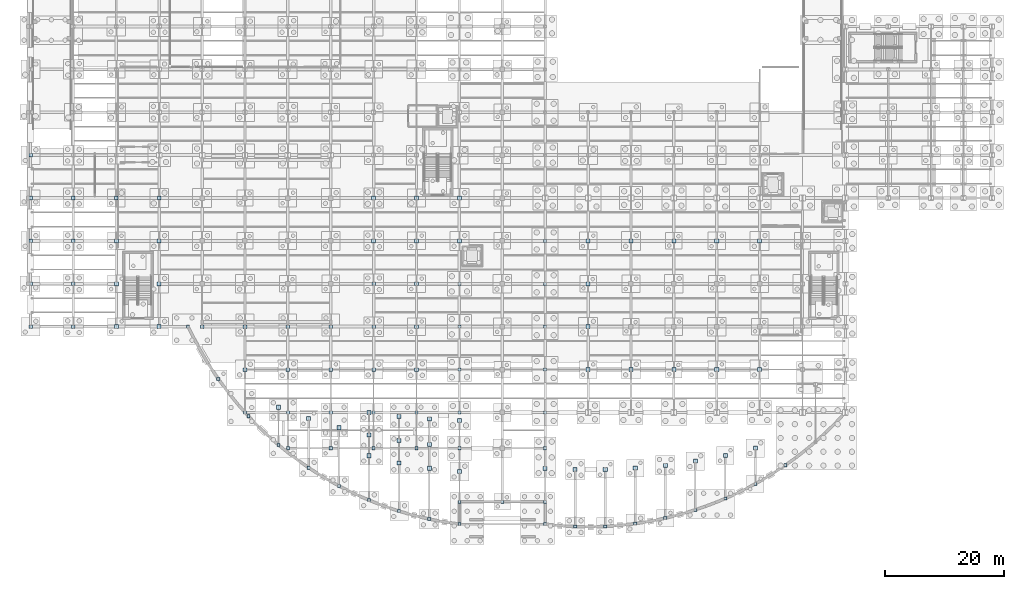
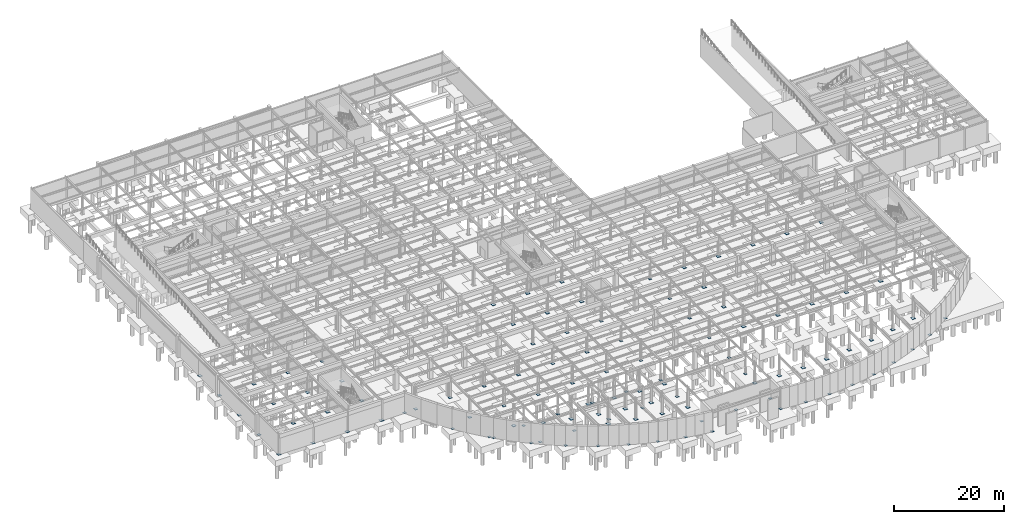
# One storey, part 42 of 64: 112 plates.
"""IFC4 building model written with IfcOpenShell, lengths in metres."""

from ifc_helpers import new_model, si_unit, direction, frame, origin, origin_2d, place, context, subcontext, project, spatial, rectangle, extrude, material, layer, layer_set, type_object, element, save


model = new_model("IFC4")

# Units and contexts
model_context = context("Model", 3, precision=1e-05, world=origin(), true_north=direction((0.0, 1.0)))
body_context = subcontext(model_context, "Body", "Model", "MODEL_VIEW")
ifc_project = project(units=[si_unit("LENGTHUNIT", "METRE"), si_unit("AREAUNIT", "SQUARE_METRE"), si_unit("VOLUMEUNIT", "CUBIC_METRE"), si_unit("PLANEANGLEUNIT", "RADIAN"), si_unit("MASSUNIT", "GRAM", prefix="KILO")], contexts=[model_context])

# Site, building, storey
site_placement = place(None, origin())
site = spatial("IfcSite", under=ifc_project, at=site_placement, CompositionType="ELEMENT")
building_placement = place(site_placement, origin())
building = spatial("IfcBuilding", under=site, at=building_placement, Name="Solvadek Multi-Sports Hall", CompositionType="ELEMENT")
storey_placement = place(building_placement, frame((0.0, 0.0, -4.800048828125)))
storey = spatial("IfcBuildingStorey", under=building, at=storey_placement, Name="B1", CompositionType="ELEMENT", Elevation=-4.800048828125)

# Plates
ifc_material = material(Name="Steel E350 (350 MPa)", Category="steel")
ifc_layer_1 = layer(ifc_material, 0.02197265625, Name="Steel E350 (350 MPa)")
ifc_layer_set_1 = layer_set([ifc_layer_1], Name="Steel E350 (350 MPa)")
plate_type_1 = type_object("IfcPlateType", Name="STR-PLT-BAS520", PredefinedType="USERDEFINED", material=ifc_layer_set_1)
for number, where, z_axis, x_axis, name in (
    (1, (36.0, 6.0, 0.0), (0.0, 0.0, 1.0), (1.0, 0.0, 0.0), "Column Base Plate #63"),
    (2, (43.199951171875, 0.0, 0.0), (0.0, 0.0, 1.0), (1.0, 0.0, 0.0), "Column Base Plate #75"),
    (3, (43.199951171875, 6.0, 0.0), (0.0, 0.0, 1.0), (1.0, 0.0, 0.0), "Column Base Plate #76"),
    (4, (50.39990234375, 0.0, 0.0), (0.0, 0.0, 1.0), (1.0, 0.0, 0.0), "Column Base Plate #88"),
    (5, (50.39990234375, 6.0, 0.0), (0.0, 0.0, 1.0), (1.0, 0.0, 0.0), "Column Base Plate #89"),
    (6, (57.60009765625, 0.0, 0.0), (0.0, 0.0, 1.0), (1.0, 0.0, 0.0), "Column Base Plate #101"),
    (7, (57.60009765625, 6.0, 0.0), (0.0, 0.0, 1.0), (1.0, 0.0, 0.0), "Column Base Plate #102"),
    (8, (64.800048828125, 0.0, 0.0), (0.0, 0.0, 1.0), (1.0, 0.0, 0.0), "Column Base Plate #117"),
    (9, (64.800048828125, 6.0, 0.0), (0.0, 0.0, 1.0), (1.0, 0.0, 0.0), "Column Base Plate #118"),
    (10, (72.0, 0.0, 0.0), (0.0, 0.0, 1.0), (1.0, 0.0, 0.0), "Column Base Plate #132"),
    (11, (72.0, 6.0, 0.0), (0.0, 0.0, 1.0), (1.0, 0.0, 0.0), "Column Base Plate #134"),
    (12, (72.0, 13.199951171875, 0.0), (0.0, 0.0, 1.0), (1.0, 0.0, 0.0), "Column Base Plate #136"),
    (13, (72.0, 20.39990234375, 0.0), (0.0, 0.0, 1.0), (1.0, 0.0, 0.0), "Column Base Plate #138"),
    (14, (72.0, 27.60009765625, 0.0), (0.0, 0.0, 1.0), (1.0, 0.0, 0.0), "Column Base Plate #140"),
    (15, (86.39990234375, 0.0, 0.0), (0.0, 0.0, 1.0), (1.0, 0.0, 0.0), "Column Base Plate #160"),
    (16, (86.39990234375, 6.0, 0.0), (0.0, 0.0, 1.0), (1.0, 0.0, 0.0), "Column Base Plate #162"),
    (17, (86.39990234375, 13.199951171875, 0.0), (0.0, 0.0, 1.0), (1.0, 0.0, 0.0), "Column Base Plate #164"),
    (18, (86.39990234375, 20.39990234375, 0.0), (0.0, 0.0, 1.0), (1.0, 0.0, 0.0), "Column Base Plate #166"),
    (19, (86.39990234375, 27.60009765625, 0.0), (0.0, 0.0, 1.0), (1.0, 0.0, 0.0), "Column Base Plate #168"),
    (20, (86.39990234375, 34.800048828125, 0.0), (0.0, 0.0, 1.0), (1.0, 0.0, 0.0), "Column Base Plate #170"),
    (21, (26.45458984375, 20.39990234375, 0.0), (0.0, 0.0, 1.0), (1.0, 0.0, 0.0), "Column Base Plate #256"),
    (22, (31.51513671875, 11.63232421875, 0.0), (0.0, 0.0, 1.0), (1.0, 0.0, 0.0), "Column Base Plate #258"),
    (23, (36.57568359375, 5.37158203125, 0.0), (0.0, 0.0, 1.0), (1.0, 0.0, 0.0), "Column Base Plate #260"),
    (24, (41.636474609375, 0.54541015625, 0.0), (0.0, 0.0, 1.0), (1.0, 0.0, 0.0), "Column Base Plate #262"),
    (25, (46.697021484375, -3.2783203125, 0.0), (0.0, 0.0, 1.0), (1.0, 0.0, 0.0), "Column Base Plate #265"),
    (26, (51.757568359375, -6.323974609375, 0.0), (0.0, 0.0, 1.0), (1.0, 0.0, 0.0), "Column Base Plate #268"),
    (27, (56.818115234375, -8.72412109375, 0.0), (0.0, 0.0, 1.0), (1.0, 0.0, 0.0), "Column Base Plate #271"),
    (28, (61.87890625, -10.562744140625, 0.0), (0.0, 0.0, 1.0), (1.0, 0.0, 0.0), "Column Base Plate #276"),
    (29, (66.939453125, -11.893798828125, 0.0), (0.0, 0.0, 1.0), (1.0, 0.0, 0.0), "Column Base Plate #281"),
    (30, (72.0, -12.7529296875, 0.0), (0.0, 0.0, 1.0), (1.0, 0.0, 0.0), "Column Base Plate #286"),
    (31, (86.39990234375, -12.7529296875, 0.0), (0.0, 0.0, 1.0), (1.0, 0.0, 0.0), "Column Base Plate #290"),
    (32, (91.43994140625, -13.159912109375, 0.0), (0.0, 0.0, 1.0), (1.0, 0.0, 0.0), "Column Base Plate #293"),
    (33, (96.47998046875, -13.128662109375, 0.0), (0.0, 0.0, 1.0), (1.0, 0.0, 0.0), "Column Base Plate #296"),
    (34, (101.52001953125, -12.65869140625, 0.0), (0.0, 0.0, 1.0), (1.0, 0.0, 0.0), "Column Base Plate #299"),
    (35, (106.56005859375, -11.73876953125, 0.0), (0.0, 0.0, 1.0), (1.0, 0.0, 0.0), "Column Base Plate #302"),
    (36, (111.60009765625, -10.346435546875, 0.0), (0.0, 0.0, 1.0), (1.0, 0.0, 0.0), "Column Base Plate #305"),
    (37, (116.639892578125, -8.4453125, 0.0), (0.0, 0.0, 1.0), (1.0, 0.0, 0.0), "Column Base Plate #308"),
    (38, (121.679931640625, -5.97802734375, 0.0), (0.0, 0.0, 1.0), (1.0, 0.0, 0.0), "Column Base Plate #311"),
    (39, (126.719970703125, -2.857177734375, 0.0), (0.0, 0.0, 1.0), (1.0, 0.0, 0.0), "Column Base Plate #314"),
    (40, (72.0, -9.0, 0.0), (0.0, 0.0, 1.0), (1.0, 0.0, 0.0), "Column Base Plate #319"),
    (41, (79.199951171875, -9.0, 0.0), (0.0, 0.0, 1.0), (1.0, 0.0, 0.0), "Column Base Plate #321"),
    (42, (86.39990234375, -9.0, 0.0), (0.0, 0.0, 1.0), (1.0, 0.0, 0.0), "Column Base Plate #323"),
):
    element("IfcPlate", number, at=place(storey_placement, frame(where, z_axis=z_axis, x_axis=x_axis)), inside=storey, type_object=plate_type_1, Name=name, ObjectType="BASE_PLATE", PredefinedType="USERDEFINED", context=body_context, shape_type="SweptSolid", body=[
        extrude(rectangle(XDim=0.52001953125, YDim=0.52001953125, at=origin_2d()), origin(), (0.0, 0.0, 1.0), 0.02197265625),
    ])
ifc_layer_2 = layer(ifc_material, 0.02490234375, Name="Steel E350 (350 MPa)")
ifc_layer_set_2 = layer_set([ifc_layer_2], Name="Steel E350 (350 MPa)")
plate_type_2 = type_object("IfcPlateType", Name="STR-PLT-BAS600", PredefinedType="USERDEFINED", material=ifc_layer_set_2)
for number, where, z_axis, x_axis, name in (
    (43, (0.0, 20.39990234375, 0.0), (0.0, 0.0, 1.0), (1.0, 0.0, 0.0), "Column Base Plate #1"),
    (44, (0.0, 27.60009765625, 0.0), (0.0, 0.0, 1.0), (1.0, 0.0, 0.0), "Column Base Plate #2"),
    (45, (0.0, 34.800048828125, 0.0), (0.0, 0.0, 1.0), (1.0, 0.0, 0.0), "Column Base Plate #3"),
    (46, (0.0, 42.0, 0.0), (0.0, 0.0, 1.0), (1.0, 0.0, 0.0), "Column Base Plate #4"),
    (47, (0.0, 49.199951171875, 0.0), (0.0, 0.0, 1.0), (1.0, 0.0, 0.0), "Column Base Plate #5"),
    (48, (7.199951171875, 20.39990234375, 0.0), (0.0, 0.0, 1.0), (1.0, 0.0, 0.0), "Column Base Plate #14"),
    (49, (7.199951171875, 27.60009765625, 0.0), (0.0, 0.0, 1.0), (1.0, 0.0, 0.0), "Column Base Plate #15"),
    (50, (7.199951171875, 34.800048828125, 0.0), (0.0, 0.0, 1.0), (1.0, 0.0, 0.0), "Column Base Plate #16"),
    (51, (7.199951171875, 42.0, 0.0), (0.0, 0.0, 1.0), (1.0, 0.0, 0.0), "Column Base Plate #17"),
    (52, (14.39990234375, 42.0, 0.0), (0.0, 0.0, 1.0), (1.0, 0.0, 0.0), "Column Base Plate #30"),
    (53, (21.60009765625, 42.0, 0.0), (0.0, 0.0, 1.0), (1.0, 0.0, 0.0), "Column Base Plate #43"),
    (54, (28.800048828125, 20.39990234375, 0.0), (0.0, 0.0, 1.0), (1.0, 0.0, 0.0), "Column Base Plate #53"),
    (55, (36.0, 13.199951171875, 0.0), (0.0, 0.0, 1.0), (1.0, 0.0, 0.0), "Column Base Plate #64"),
    (56, (36.0, 20.39990234375, 0.0), (0.0, 0.0, 1.0), (1.0, 0.0, 0.0), "Column Base Plate #65"),
    (57, (43.199951171875, 13.199951171875, 0.0), (0.0, 0.0, 1.0), (1.0, 0.0, 0.0), "Column Base Plate #77"),
    (58, (43.199951171875, 20.39990234375, 0.0), (0.0, 0.0, 1.0), (1.0, 0.0, 0.0), "Column Base Plate #78"),
    (59, (50.39990234375, 13.199951171875, 0.0), (0.0, 0.0, 1.0), (1.0, 0.0, 0.0), "Column Base Plate #90"),
    (60, (50.39990234375, 20.39990234375, 0.0), (0.0, 0.0, 1.0), (1.0, 0.0, 0.0), "Column Base Plate #91"),
    (61, (57.60009765625, 13.199951171875, 0.0), (0.0, 0.0, 1.0), (1.0, 0.0, 0.0), "Column Base Plate #103"),
    (62, (57.60009765625, 20.39990234375, 0.0), (0.0, 0.0, 1.0), (1.0, 0.0, 0.0), "Column Base Plate #104"),
    (63, (57.60009765625, 27.60009765625, 0.0), (0.0, 0.0, 1.0), (1.0, 0.0, 0.0), "Column Base Plate #105"),
    (64, (64.800048828125, 13.199951171875, 0.0), (0.0, 0.0, 1.0), (1.0, 0.0, 0.0), "Column Base Plate #119"),
    (65, (64.800048828125, 20.39990234375, 0.0), (0.0, 0.0, 1.0), (1.0, 0.0, 0.0), "Column Base Plate #120"),
    (66, (64.800048828125, 27.60009765625, 0.0), (0.0, 0.0, 1.0), (1.0, 0.0, 0.0), "Column Base Plate #121"),
):
    element("IfcPlate", number, at=place(storey_placement, frame(where, z_axis=z_axis, x_axis=x_axis)), inside=storey, type_object=plate_type_2, Name=name, ObjectType="BASE_PLATE", PredefinedType="USERDEFINED", context=body_context, shape_type="SweptSolid", body=[
        extrude(rectangle(XDim=0.60009765625, YDim=0.60009765625, at=origin_2d()), origin(), (0.0, 0.0, 1.0), 0.02490234375),
    ])
ifc_layer_3 = layer(ifc_material, 0.02587890625, Name="Steel E350 (350 MPa)")
ifc_layer_set_3 = layer_set([ifc_layer_3], Name="Steel E350 (350 MPa)")
plate_type_3 = type_object("IfcPlateType", Name="STR-PLT-BAS680", PredefinedType="USERDEFINED", material=ifc_layer_set_3)
for number, where, z_axis, x_axis, name in (
    (67, (14.39990234375, 20.39990234375, 0.0), (0.0, 0.0, 1.0), (1.0, 0.0, 0.0), "Column Base Plate #27"),
    (68, (14.39990234375, 27.60009765625, 0.0), (0.0, 0.0, 1.0), (1.0, 0.0, 0.0), "Column Base Plate #28"),
    (69, (14.39990234375, 34.800048828125, 0.0), (0.0, 0.0, 1.0), (1.0, 0.0, 0.0), "Column Base Plate #29"),
    (70, (21.60009765625, 20.39990234375, 0.0), (0.0, 0.0, 1.0), (1.0, 0.0, 0.0), "Column Base Plate #40"),
    (71, (21.60009765625, 27.60009765625, 0.0), (0.0, 0.0, 1.0), (1.0, 0.0, 0.0), "Column Base Plate #41"),
    (72, (21.60009765625, 34.800048828125, 0.0), (0.0, 0.0, 1.0), (1.0, 0.0, 0.0), "Column Base Plate #42"),
    (73, (57.60009765625, 34.800048828125, 0.0), (0.0, 0.0, 1.0), (1.0, 0.0, 0.0), "Column Base Plate #106"),
    (74, (57.60009765625, 42.0, 0.0), (0.0, 0.0, 1.0), (1.0, 0.0, 0.0), "Column Base Plate #107"),
    (75, (64.800048828125, 34.800048828125, 0.0), (0.0, 0.0, 1.0), (1.0, 0.0, 0.0), "Column Base Plate #122"),
    (76, (64.800048828125, 42.0, 0.0), (0.0, 0.0, 1.0), (1.0, 0.0, 0.0), "Column Base Plate #123"),
    (77, (72.0, 34.800048828125, 0.0), (0.0, 0.0, 1.0), (1.0, 0.0, 0.0), "Column Base Plate #142"),
    (78, (72.0, 42.0, 0.0), (0.0, 0.0, 1.0), (1.0, 0.0, 0.0), "Column Base Plate #143"),
    (79, (93.60009765625, 13.199951171875, 0.0), (0.0, 0.0, 1.0), (1.0, 0.0, 0.0), "Column Base Plate #192"),
    (80, (93.60009765625, 20.39990234375, 0.0), (0.0, 0.0, 1.0), (1.0, 0.0, 0.0), "Column Base Plate #193"),
    (81, (93.60009765625, 27.60009765625, 0.0), (0.0, 0.0, 1.0), (1.0, 0.0, 0.0), "Column Base Plate #194"),
    (82, (93.60009765625, 34.800048828125, 0.0), (0.0, 0.0, 1.0), (1.0, 0.0, 0.0), "Column Base Plate #195"),
    (83, (100.800048828125, 13.199951171875, 0.0), (0.0, 0.0, 1.0), (1.0, 0.0, 0.0), "Column Base Plate #200"),
    (84, (100.800048828125, 34.800048828125, 0.0), (0.0, 0.0, 1.0), (1.0, 0.0, 0.0), "Column Base Plate #201"),
    (85, (108.0, 13.199951171875, 0.0), (0.0, 0.0, 1.0), (1.0, 0.0, 0.0), "Column Base Plate #206"),
    (86, (108.0, 34.800048828125, 0.0), (0.0, 0.0, 1.0), (1.0, 0.0, 0.0), "Column Base Plate #207"),
    (87, (115.199951171875, 13.199951171875, 0.0), (0.0, 0.0, 1.0), (1.0, 0.0, 0.0), "Column Base Plate #212"),
    (88, (115.199951171875, 34.800048828125, 0.0), (0.0, 0.0, 1.0), (1.0, 0.0, 0.0), "Column Base Plate #213"),
    (89, (122.39990234375, 13.199951171875, 0.0), (0.0, 0.0, 1.0), (1.0, 0.0, 0.0), "Column Base Plate #218"),
    (90, (122.39990234375, 34.800048828125, 0.0), (0.0, 0.0, 1.0), (1.0, 0.0, 0.0), "Column Base Plate #219"),
    (91, (41.636474609375, 6.87255859375, 0.0), (0.0, 0.0, 1.0), (1.0, 0.0, 0.0), "Column Base Plate #264"),
    (92, (46.697021484375, 4.960693359375, 0.0), (0.0, 0.0, 1.0), (1.0, 0.0, 0.0), "Column Base Plate #267"),
    (93, (51.757568359375, 3.43798828125, 0.0), (0.0, 0.0, 1.0), (1.0, 0.0, 0.0), "Column Base Plate #270"),
    (94, (56.818115234375, 2.23779296875, 0.0), (0.0, 0.0, 1.0), (1.0, 0.0, 0.0), "Column Base Plate #273"),
    (95, (56.818115234375, -1.27001953125, 0.0), (0.0, 0.0, 1.0), (1.0, 0.0, 0.0), "Column Base Plate #274"),
    (96, (56.818115234375, 5.965087890625, 0.0), (0.0, 0.0, 1.0), (1.0, 0.0, 0.0), "Column Base Plate #275"),
    (97, (61.87890625, 1.318603515625, 0.0), (0.0, 0.0, 1.0), (1.0, 0.0, 0.0), "Column Base Plate #278"),
    (98, (61.87890625, -2.4833984375, 0.0), (0.0, 0.0, 1.0), (1.0, 0.0, 0.0), "Column Base Plate #279"),
    (99, (61.87890625, 5.3583984375, 0.0), (0.0, 0.0, 1.0), (1.0, 0.0, 0.0), "Column Base Plate #280"),
    (100, (66.939453125, 0.653076171875, 0.0), (0.0, 0.0, 1.0), (1.0, 0.0, 0.0), "Column Base Plate #283"),
    (101, (66.939453125, -3.362060546875, 0.0), (0.0, 0.0, 1.0), (1.0, 0.0, 0.0), "Column Base Plate #284"),
    (102, (66.939453125, 4.9189453125, 0.0), (0.0, 0.0, 1.0), (1.0, 0.0, 0.0), "Column Base Plate #285"),
    (103, (72.0, -3.928955078125, 0.0), (0.0, 0.0, 1.0), (1.0, 0.0, 0.0), "Column Base Plate #288"),
    (104, (72.0, 4.635498046875, 0.0), (0.0, 0.0, 1.0), (1.0, 0.0, 0.0), "Column Base Plate #289"),
    (105, (86.39990234375, -3.37646484375, 0.0), (0.0, 0.0, 1.0), (1.0, 0.0, 0.0), "Column Base Plate #292"),
    (106, (91.43994140625, -3.580078125, 0.0), (0.0, 0.0, 1.0), (1.0, 0.0, 0.0), "Column Base Plate #295"),
    (107, (96.47998046875, -3.564453125, 0.0), (0.0, 0.0, 1.0), (1.0, 0.0, 0.0), "Column Base Plate #298"),
    (108, (101.52001953125, -3.329345703125, 0.0), (0.0, 0.0, 1.0), (1.0, 0.0, 0.0), "Column Base Plate #301"),
    (109, (106.56005859375, -2.869384765625, 0.0), (0.0, 0.0, 1.0), (1.0, 0.0, 0.0), "Column Base Plate #304"),
    (110, (111.60009765625, -2.17333984375, 0.0), (0.0, 0.0, 1.0), (1.0, 0.0, 0.0), "Column Base Plate #307"),
    (111, (116.639892578125, -1.22265625, 0.0), (0.0, 0.0, 1.0), (1.0, 0.0, 0.0), "Column Base Plate #310"),
    (112, (121.679931640625, 0.010986328125, 0.0), (0.0, 0.0, 1.0), (1.0, 0.0, 0.0), "Column Base Plate #313"),
):
    element("IfcPlate", number, at=place(storey_placement, frame(where, z_axis=z_axis, x_axis=x_axis)), inside=storey, type_object=plate_type_3, Name=name, ObjectType="BASE_PLATE", PredefinedType="USERDEFINED", context=body_context, shape_type="SweptSolid", body=[
        extrude(rectangle(XDim=0.679931640625, YDim=0.679931640625, at=origin_2d()), origin(), (0.0, 0.0, 1.0), 0.02587890625),
    ])

save(model, "model.ifc")
